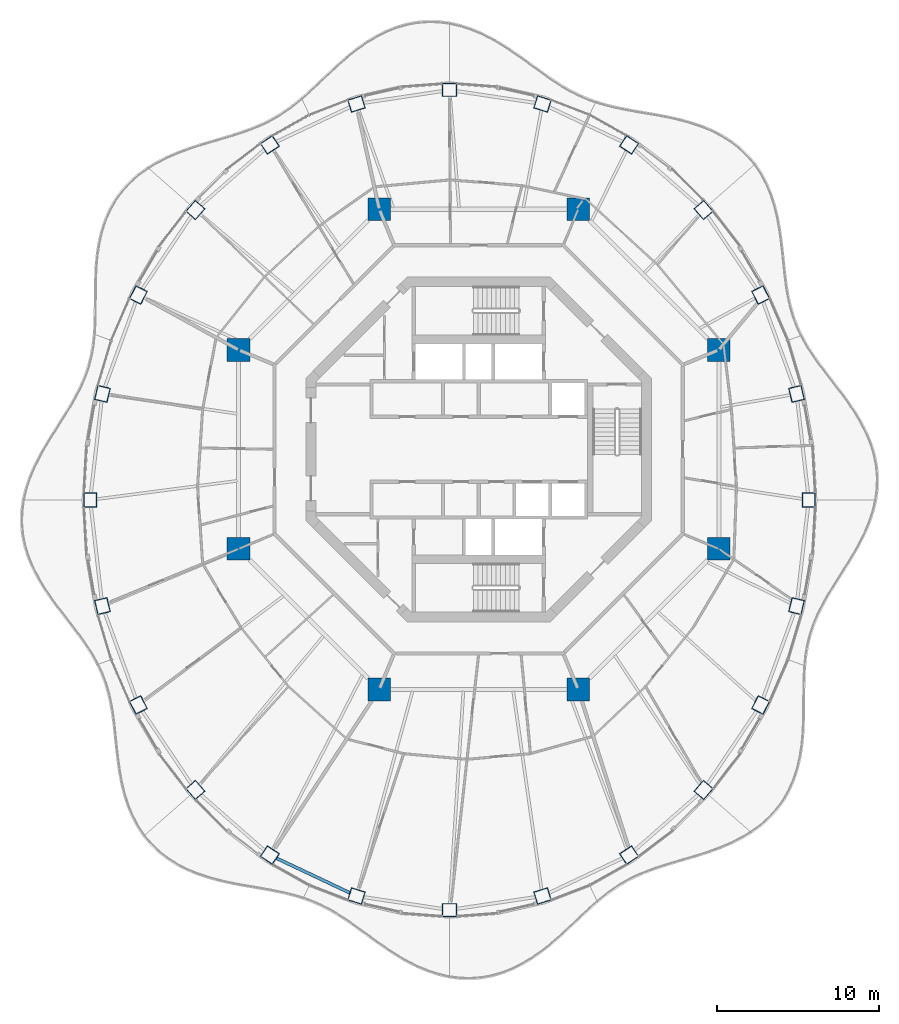
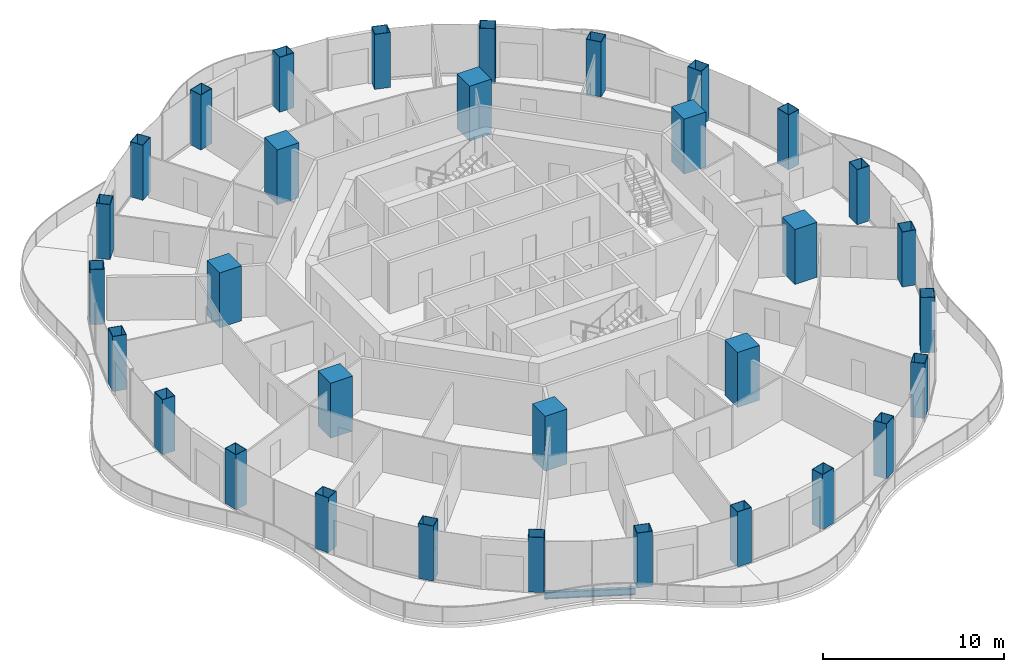
# One storey, part 1 of 17: 32 columns, 1 beam.
"""IFC4 building model written with IfcOpenShell, lengths in metres."""

from ifc_helpers import new_model, si_unit, direction, frame, origin, origin_2d, place, context, subcontext, project, spatial, rectangle, hollow_rectangle, i_section, extrude, material, material_profile, profile_set, type_object, element, save


model = new_model("IFC4")

# Units and contexts
model_context = context("Model", 3, precision=1e-05, world=origin(), true_north=direction((0.0, 1.0)))
body_context = subcontext(model_context, "Body", "Model", "MODEL_VIEW")
ifc_project = project(units=[si_unit("LENGTHUNIT", "METRE"), si_unit("AREAUNIT", "SQUARE_METRE"), si_unit("VOLUMEUNIT", "CUBIC_METRE"), si_unit("PLANEANGLEUNIT", "RADIAN"), si_unit("MASSUNIT", "GRAM", prefix="KILO")], contexts=[model_context])

# Site, building, storey
site_placement = place(None, origin())
site = spatial("IfcSite", under=ifc_project, at=site_placement, CompositionType="ELEMENT")
building_placement = place(site_placement, origin())
building = spatial("IfcBuilding", under=site, at=building_placement, Name="Nagisa Residences", CompositionType="ELEMENT")
storey_placement = place(building_placement, frame((0.0, 0.0, 277.0)))
storey = spatial("IfcBuildingStorey", under=building, at=storey_placement, Name="L70", CompositionType="ELEMENT", Elevation=277.0)

# Columns
ifc_material_1 = material(Name="Concrete C80", Category="concrete")
ifc_material_profile_1 = material_profile(ifc_material_1, rectangle(XDim=1.39990234375, YDim=1.39990234375, at=origin_2d()), Name="C80 1400x1400")
ifc_profile_set_1 = profile_set([ifc_material_profile_1], Name="Concrete C80")
column_type_1 = type_object("IfcColumnType", Name="Inner megacolumn C80 1400x1400", PredefinedType="COLUMN", material=ifc_profile_set_1)
for number, where, z_axis, x_axis, name in (
    (1, (14.781982421875, 6.123046875, 0.0), (0.0, 0.0, 1.0), (1.0, 0.0, 0.0), "col:L70:i1"),
    (2, (6.123046875, 14.781982421875, 0.0), (0.0, 0.0, 1.0), (1.0, 0.0, 0.0), "col:L70:i2"),
    (3, (-6.123046875, 14.781982421875, 0.0), (0.0, 0.0, 1.0), (1.0, 0.0, 0.0), "col:L70:i3"),
    (4, (-14.781982421875, 6.123046875, 0.0), (0.0, 0.0, 1.0), (1.0, 0.0, 0.0), "col:L70:i4"),
    (5, (-14.781982421875, -6.123046875, 0.0), (0.0, 0.0, 1.0), (1.0, 0.0, 0.0), "col:L70:i5"),
    (6, (-6.123046875, -14.781982421875, 0.0), (0.0, 0.0, 1.0), (1.0, 0.0, 0.0), "col:L70:i6"),
    (7, (6.123046875, -14.781982421875, 0.0), (0.0, 0.0, 1.0), (1.0, 0.0, 0.0), "col:L70:i7"),
    (8, (14.781982421875, -6.123046875, 0.0), (0.0, 0.0, 1.0), (1.0, 0.0, 0.0), "col:L70:i8"),
):
    element("IfcColumn", number, at=place(storey_placement, frame(where, z_axis=z_axis, x_axis=x_axis)), inside=storey, type_object=column_type_1, Name=name, PredefinedType="COLUMN", context=body_context, shape_type="SweptSolid", body=[
        extrude(rectangle(XDim=1.39990234375, YDim=1.39990234375, at=origin_2d()), origin(), (0.0, 0.0, 1.0), 3.699951171875),
    ])
ifc_material_2 = material(Name="Steel ASTM A572 Gr 50", Category="steel")
ifc_material_profile_2 = material_profile(ifc_material_2, hollow_rectangle(XDim=0.89990234375, YDim=0.800048828125, WallThickness=0.028076171875, at=origin_2d()), Name="BX 900x800x28")
ifc_profile_set_2 = profile_set([ifc_material_profile_2], Name="Steel ASTM A572 Gr 50")
column_type_2 = type_object("IfcColumnType", Name="Perimeter column BX 900x800x28", PredefinedType="COLUMN", material=ifc_profile_set_2)
for number, where, z_axis, x_axis, name in (
    (9, (20.320068359375, -3.11767578125, 0.0), (0.0, 0.0, 1.0), (0.0, 1.0, 0.0), "col:L70:p00"),
    (10, (19.566162109375, 3.414794921875, 0.0), (0.0, 0.0, 1.0), (-0.229202013103, 0.973378876486, 0.0), "col:L70:p01"),
    (11, (17.3564453125, 9.502197265625, 0.0), (0.0, 0.0, 1.0), (-0.452462697578, 0.891783329795, 0.0), "col:L70:p02"),
    (12, (13.84130859375, 14.729736328125, 0.0), (0.0, 0.0, 1.0), (-0.660114607735, 0.751164898445, 0.0), "col:L70:p03"),
    (13, (9.260009765625, 18.74072265625, 0.0), (0.0, 0.0, 1.0), (-0.835766105673, 0.54908561865, 0.0), "col:L70:p04"),
    (14, (3.925048828125, 21.26220703125, 0.0), (0.0, 0.0, 1.0), (-0.956524583408, 0.291651712384, 0.0), "col:L70:p05"),
    (15, (-1.800048828125, 22.122314453125, 0.0), (0.0, 0.0, 1.0), (-1.0, 0.0, 0.0), "col:L70:p06"),
    (16, (-7.525146484375, 21.26220703125, 0.0), (0.0, 0.0, 1.0), (-0.956524583408, -0.291651712384, 0.0), "col:L70:p07"),
    (17, (-12.860107421875, 18.74072265625, 0.0), (0.0, 0.0, 1.0), (-0.835766105673, -0.54908561865, 0.0), "col:L70:p08"),
    (18, (-17.441162109375, 14.729736328125, 0.0), (0.0, 0.0, 1.0), (-0.660114607735, -0.751164898445, 0.0), "col:L70:p09"),
    (19, (-20.95654296875, 9.502197265625, 0.0), (0.0, 0.0, 1.0), (-0.452462697578, -0.891783329795, 0.0), "col:L70:p10"),
    (20, (-23.166259765625, 3.414794921875, 0.0), (0.0, 0.0, 1.0), (-0.229202013103, -0.973378876486, 0.0), "col:L70:p11"),
    (21, (-23.919921875, -3.11767578125, 0.0), (0.0, 0.0, 1.0), (0.0, -1.0, 0.0), "col:L70:p12"),
    (22, (-23.166259765625, -9.650390625, 0.0), (0.0, 0.0, 1.0), (0.229202013103, -0.973378876486, 0.0), "col:L70:p13"),
    (23, (-20.95654296875, -15.73779296875, 0.0), (0.0, 0.0, 1.0), (0.452462697578, -0.891783329795, 0.0), "col:L70:p14"),
    (24, (-17.441162109375, -20.965087890625, 0.0), (0.0, 0.0, 1.0), (0.660114607735, -0.751164898445, 0.0), "col:L70:p15"),
    (25, (-12.860107421875, -24.97607421875, 0.0), (0.0, 0.0, 1.0), (0.835766105673, -0.54908561865, 0.0), "col:L70:p16"),
    (26, (-7.525146484375, -27.49755859375, 0.0), (0.0, 0.0, 1.0), (0.956524583408, -0.291651712384, 0.0), "col:L70:p17"),
    (27, (-1.800048828125, -28.357666015625, 0.0), (0.0, 0.0, 1.0), (1.0, 0.0, 0.0), "col:L70:p18"),
    (28, (3.925048828125, -27.49755859375, 0.0), (0.0, 0.0, 1.0), (0.956524583408, 0.291651712384, 0.0), "col:L70:p19"),
    (29, (9.260009765625, -24.97607421875, 0.0), (0.0, 0.0, 1.0), (0.835766105673, 0.54908561865, 0.0), "col:L70:p20"),
    (30, (13.84130859375, -20.965087890625, 0.0), (0.0, 0.0, 1.0), (0.660114607735, 0.751164898445, 0.0), "col:L70:p21"),
    (31, (17.3564453125, -15.73779296875, 0.0), (0.0, 0.0, 1.0), (0.452462697578, 0.891783329795, 0.0), "col:L70:p22"),
    (32, (19.566162109375, -9.650390625, 0.0), (0.0, 0.0, 1.0), (0.229202013103, 0.973378876486, 0.0), "col:L70:p23"),
):
    element("IfcColumn", number, at=place(storey_placement, frame(where, z_axis=z_axis, x_axis=x_axis)), inside=storey, type_object=column_type_2, Name=name, PredefinedType="COLUMN", context=body_context, shape_type="SweptSolid", body=[
        extrude(hollow_rectangle(XDim=0.89990234375, YDim=0.800048828125, WallThickness=0.028076171875, at=origin_2d()), origin(), (0.0, 0.0, 1.0), 3.699951171875),
    ])

# Beam
ifc_material_3 = material(Name="Steel ASTM A572 Gr 50", Category="steel")
ifc_material_profile_3 = material_profile(ifc_material_3, i_section(OverallWidth=0.18994140625, OverallDepth=0.45703125, WebThickness=0.009033203125, FlangeThickness=0.014404296875, at=origin_2d()), Name="W460x74")
ifc_profile_set_3 = profile_set([ifc_material_profile_3], Name="Steel ASTM A572 Gr 50")
beam_type = type_object("IfcBeamType", Name="Perimeter ring beam W460x74", PredefinedType="BEAM", material=ifc_profile_set_3)
beam_placement = place(storey_placement, frame((-12.46728515625, -25.161865234375, -0.488525390625), z_axis=(0.904115893837, -0.427287316113, 0.0), x_axis=(0.427287316113, 0.904115893837, 0.0)))
element("IfcBeam", 33, at=beam_placement, inside=storey, type_object=beam_type, Name="beam:L70:pb17", PredefinedType="BEAM", context=body_context, shape_type="SweptSolid", body=[
    extrude(i_section(OverallWidth=0.18994140625, OverallDepth=0.45703125, WebThickness=0.009033203125, FlangeThickness=0.014404296875, at=origin_2d()), origin(), (0.0, 0.0, 1.0), 5.031494140625),
])

save(model, "model.ifc")
